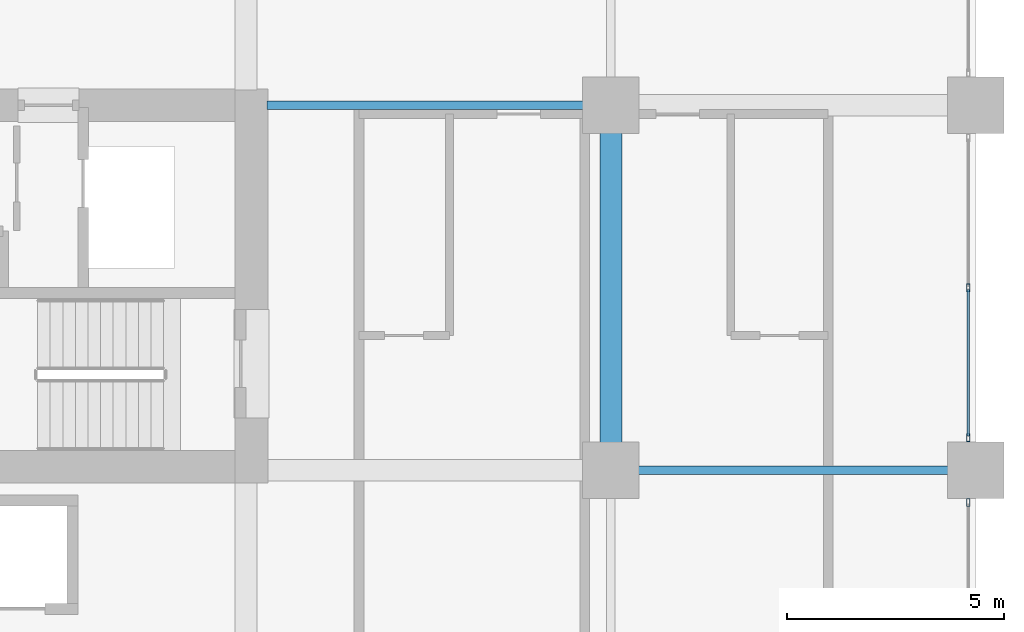
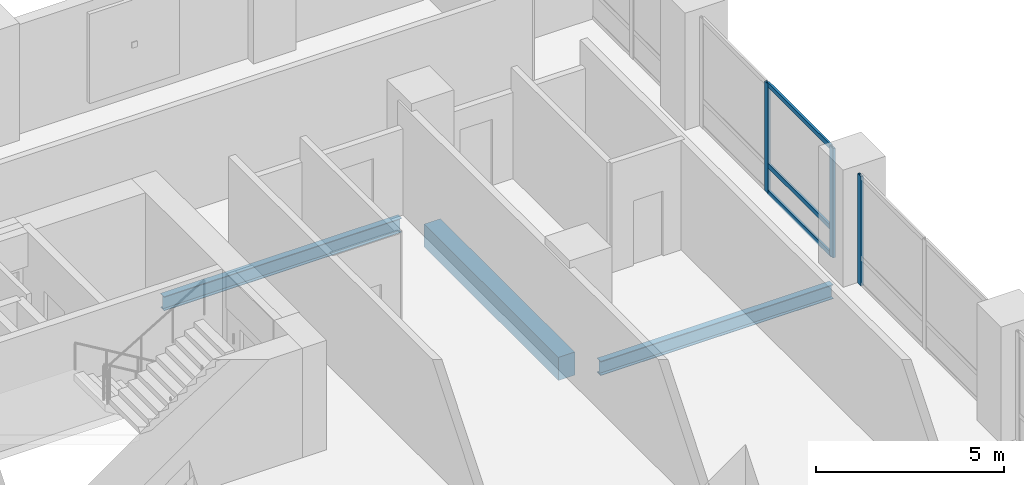
# One storey, part 5 of 24: 6 members, 3 beams, 2 elements without a shape of their own.
"""IFC4 building model written with IfcOpenShell, lengths in metres."""

from ifc_helpers import new_model, si_unit, direction, frame, origin, origin_2d, place, context, subcontext, project, spatial, rectangle, hollow_rectangle, i_section, extrude, material, layer, layer_set, material_profile, profile_set, type_object, element, aggregate, save


model = new_model("IFC4")

# Units and contexts
model_context = context("Model", 3, precision=1e-05, world=origin(), true_north=direction((0.0, 1.0)))
body_context = subcontext(model_context, "Body", "Model", "MODEL_VIEW")
ifc_project = project(units=[si_unit("LENGTHUNIT", "METRE"), si_unit("AREAUNIT", "SQUARE_METRE"), si_unit("VOLUMEUNIT", "CUBIC_METRE"), si_unit("PLANEANGLEUNIT", "RADIAN"), si_unit("MASSUNIT", "GRAM", prefix="KILO")], contexts=[model_context])

# Site, building, storey
site_placement = place(None, origin())
site = spatial("IfcSite", under=ifc_project, at=site_placement, CompositionType="ELEMENT")
building_placement = place(site_placement, origin())
building = spatial("IfcBuilding", under=site, at=building_placement, Name="Koriwani Terraces Tower", CompositionType="ELEMENT")
storey_placement = place(building_placement, frame((0.0, 0.0, 103.800048828125)))
storey = spatial("IfcBuildingStorey", under=building, at=storey_placement, Name="L24", CompositionType="ELEMENT", Elevation=103.800048828125)

# Beam
ifc_material_1 = material(Name="Concrete C50/60", Category="concrete")
ifc_material_profile_1 = material_profile(ifc_material_1, rectangle(XDim=0.5, YDim=0.75, at=origin_2d()), Name="Concrete C50/60", Category="LoadBearing")
ifc_profile_set_1 = profile_set([ifc_material_profile_1], Name="Concrete C50/60")
beam_type_1 = type_object("IfcBeamType", Name="BEAM_RC_GRID_500X750", PredefinedType="BEAM", material=ifc_profile_set_1)
beam_1_placement = place(storey_placement, frame((67.199951171875, 17.429931640625, -0.625), z_axis=(0.0, 1.0, 0.0), x_axis=(-1.0, 0.0, 0.0)))
element("IfcBeam", 1, at=beam_1_placement, inside=storey, type_object=beam_type_1, Name="L24 Grid Beam 9 (16.8-25.2m)", PredefinedType="BEAM", context=body_context, shape_type="SweptSolid", body=[
    extrude(rectangle(XDim=0.5, YDim=0.75, at=origin_2d()), origin(), (0.0, 0.0, 1.0), 7.14013671875),
])

# Curtain wall, members
ifc_material_2 = material(Name="Anodised Bronze Aluminium", Category="aluminium")
ifc_layer = layer(ifc_material_2, 0.179931640625, Name="Anodised Bronze Aluminium")
ifc_layer_set = layer_set([ifc_layer], Name="Anodised Bronze Aluminium")
curtain_wall_type = type_object("IfcCurtainWallType", Name="CW_HOTEL_ZONE2", PredefinedType="NOTDEFINED", material=ifc_layer_set)
curtain_wall_1_placement = place(storey_placement, origin())
curtain_wall_1 = element("IfcCurtainWall", 2, at=curtain_wall_1_placement, inside=storey, type_object=curtain_wall_type, Name="L24 Unitised Curtain Wall (E_TIP) Bay 2", PredefinedType="NOTDEFINED")
ifc_material_profile_2 = material_profile(ifc_material_2, hollow_rectangle(XDim=0.074951171875, YDim=0.179931640625, WallThickness=0.006103515625, at=origin_2d()), Name="Anodised Bronze Aluminium", Category="LoadBearing")
ifc_profile_set_2 = profile_set([ifc_material_profile_2], Name="Anodised Bronze Aluminium")
member_type_1 = type_object("IfcMemberType", Name="CW_MULLION_180X75", PredefinedType="MULLION", material=ifc_profile_set_2)
member_1_placement = place(storey_placement, frame((75.425048828125, 21.0, 0.0), z_axis=(0.0, 0.0, 1.0), x_axis=(1.0, 0.0, 0.0)))
member_1 = element("IfcMember", 3, at=member_1_placement, type_object=member_type_1, Name="CW-Z2 mullion 2", PredefinedType="MULLION", context=body_context, shape_type="SweptSolid", body=[
    extrude(hollow_rectangle(XDim=0.074951171875, YDim=0.179931640625, WallThickness=0.006103515625, at=origin_2d()), origin(), (0.0, 0.0, 1.0), 3.550048828125),
])
member_2_placement = place(storey_placement, frame((75.425048828125, 17.547607421875, 0.0), z_axis=(0.0, 0.0, 1.0), x_axis=(1.0, 0.0, 0.0)))
member_2 = element("IfcMember", 4, at=member_2_placement, type_object=member_type_1, Name="CW-Z2 mullion 3", PredefinedType="MULLION", context=body_context, shape_type="SweptSolid", body=[
    extrude(hollow_rectangle(XDim=0.074951171875, YDim=0.179931640625, WallThickness=0.006103515625, at=origin_2d()), origin(), (0.0, 0.0, 1.0), 3.550048828125),
])

# Curtain wall, member
curtain_wall_2_placement = place(storey_placement, origin())
curtain_wall_2 = element("IfcCurtainWall", 5, at=curtain_wall_2_placement, inside=storey, type_object=curtain_wall_type, Name="L24 Unitised Curtain Wall (E_TIP) Bay 3", PredefinedType="NOTDEFINED")
member_3_placement = place(storey_placement, frame((75.425048828125, 16.052490234375, 0.0), z_axis=(0.0, 0.0, 1.0), x_axis=(1.0, 0.0, 0.0)))
member_3 = element("IfcMember", 6, at=member_3_placement, type_object=member_type_1, Name="CW-Z2 mullion 1", PredefinedType="MULLION", context=body_context, shape_type="SweptSolid", body=[
    extrude(hollow_rectangle(XDim=0.074951171875, YDim=0.179931640625, WallThickness=0.006103515625, at=origin_2d()), origin(), (0.0, 0.0, 1.0), 3.550048828125),
])
aggregate(curtain_wall_2, [member_3])

# Member
ifc_material_profile_3 = material_profile(ifc_material_2, hollow_rectangle(XDim=0.06494140625, YDim=0.14990234375, WallThickness=0.0048828125, at=origin_2d()), Name="Anodised Bronze Aluminium", Category="LoadBearing")
ifc_profile_set_3 = profile_set([ifc_material_profile_3], Name="Anodised Bronze Aluminium")
member_type_2 = type_object("IfcMemberType", Name="CW_TRANSOM_150X65", PredefinedType="USERDEFINED", material=ifc_profile_set_3)
member_4_placement = place(storey_placement, frame((75.425048828125, 20.96240234375, 0.032470703125), z_axis=(0.0, -1.0, 0.0), x_axis=(1.0, 0.0, 0.0)))
member_4 = element("IfcMember", 7, at=member_4_placement, type_object=member_type_2, Name="CW-Z2 transom 2.1", ObjectType="TRANSOM", PredefinedType="USERDEFINED", context=body_context, shape_type="SweptSolid", body=[
    extrude(hollow_rectangle(XDim=0.06494140625, YDim=0.14990234375, WallThickness=0.0048828125, at=origin_2d()), origin(), (0.0, 0.0, 1.0), 3.37744140625),
])

member_5_placement = place(storey_placement, frame((75.425048828125, 20.96240234375, 0.89990234375), z_axis=(0.0, -1.0, 0.0), x_axis=(1.0, 0.0, 0.0)))
member_5 = element("IfcMember", 8, at=member_5_placement, type_object=member_type_2, Name="CW-Z2 transom 2.2", ObjectType="TRANSOM", PredefinedType="USERDEFINED", context=body_context, shape_type="SweptSolid", body=[
    extrude(hollow_rectangle(XDim=0.06494140625, YDim=0.14990234375, WallThickness=0.0048828125, at=origin_2d()), origin(), (0.0, 0.0, 1.0), 3.37744140625),
])

member_6_placement = place(storey_placement, frame((75.425048828125, 20.96240234375, 3.517333984375), z_axis=(0.0, -1.0, 0.0), x_axis=(1.0, 0.0, 0.0)))
member_6 = element("IfcMember", 9, at=member_6_placement, type_object=member_type_2, Name="CW-Z2 transom 2.3", ObjectType="TRANSOM", PredefinedType="USERDEFINED", context=body_context, shape_type="SweptSolid", body=[
    extrude(hollow_rectangle(XDim=0.06494140625, YDim=0.14990234375, WallThickness=0.0048828125, at=origin_2d()), origin(), (0.0, 0.0, 1.0), 3.37744140625),
])

aggregate(curtain_wall_1, [member_1, member_2, member_4, member_5, member_6])

# Beams
ifc_material_3 = material(Name="Steel ASTM A572 Grade 50", Category="steel")
ifc_material_profile_4 = material_profile(ifc_material_3, i_section(OverallWidth=0.193115234375, OverallDepth=0.462890625, WebThickness=0.0107421875, FlangeThickness=0.017333984375, at=origin_2d()), Name="Steel ASTM A572 Grade 50", Category="LoadBearing")
ifc_profile_set_4 = profile_set([ifc_material_profile_4], Name="Steel ASTM A572 Grade 50")
beam_type_2 = type_object("IfcBeamType", Name="STEEL_BEAM_W460X113", PredefinedType="BEAM", material=ifc_profile_set_4)
beam_2_placement = place(storey_placement, frame((67.830078125, 16.800048828125, -0.4814453125), z_axis=(1.0, 0.0, 0.0), x_axis=(0.0, 1.0, 0.0)))
element("IfcBeam", 10, at=beam_2_placement, inside=storey, type_object=beam_type_2, Name="L24 Grid Beam C (67.2-75.6m)", PredefinedType="BEAM", context=body_context, shape_type="SweptSolid", body=[
    extrude(i_section(OverallWidth=0.193115234375, OverallDepth=0.462890625, WebThickness=0.0107421875, FlangeThickness=0.017333984375, at=origin_2d()), origin(), (0.0, 0.0, 1.0), 7.139892578125),
])
beam_3_placement = place(storey_placement, frame((59.280029296875, 25.199951171875, -0.4814453125), z_axis=(1.0, 0.0, 0.0), x_axis=(0.0, 1.0, 0.0)))
element("IfcBeam", 11, at=beam_3_placement, inside=storey, type_object=beam_type_2, Name="L24 Grid Beam D (58.8-67.2m)", PredefinedType="BEAM", context=body_context, shape_type="SweptSolid", body=[
    extrude(i_section(OverallWidth=0.193115234375, OverallDepth=0.462890625, WebThickness=0.0107421875, FlangeThickness=0.017333984375, at=origin_2d()), origin(), (0.0, 0.0, 1.0), 7.2900390625),
])

save(model, "model.ifc")
